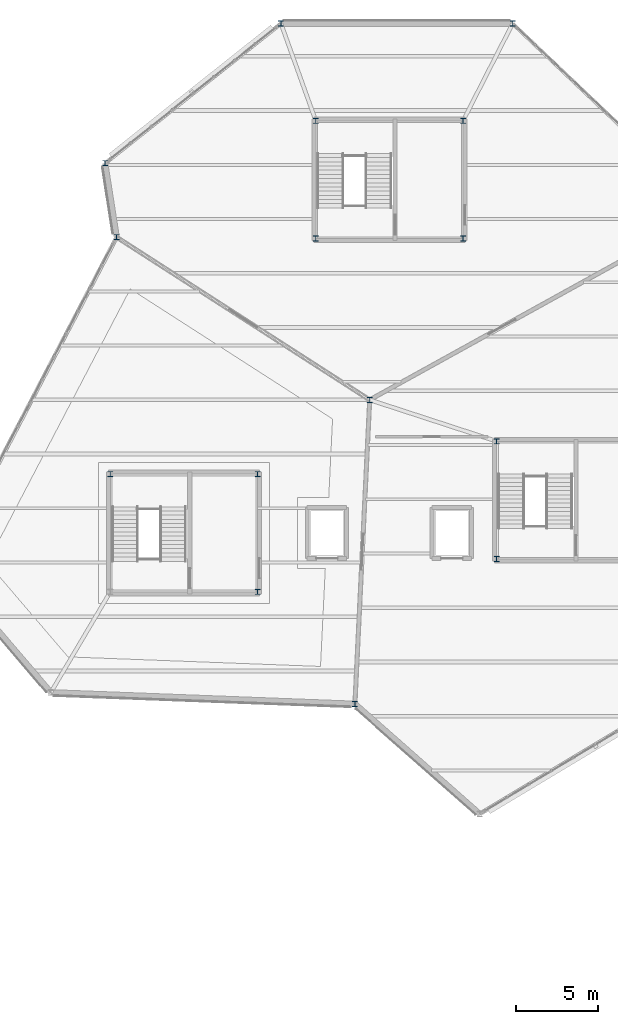
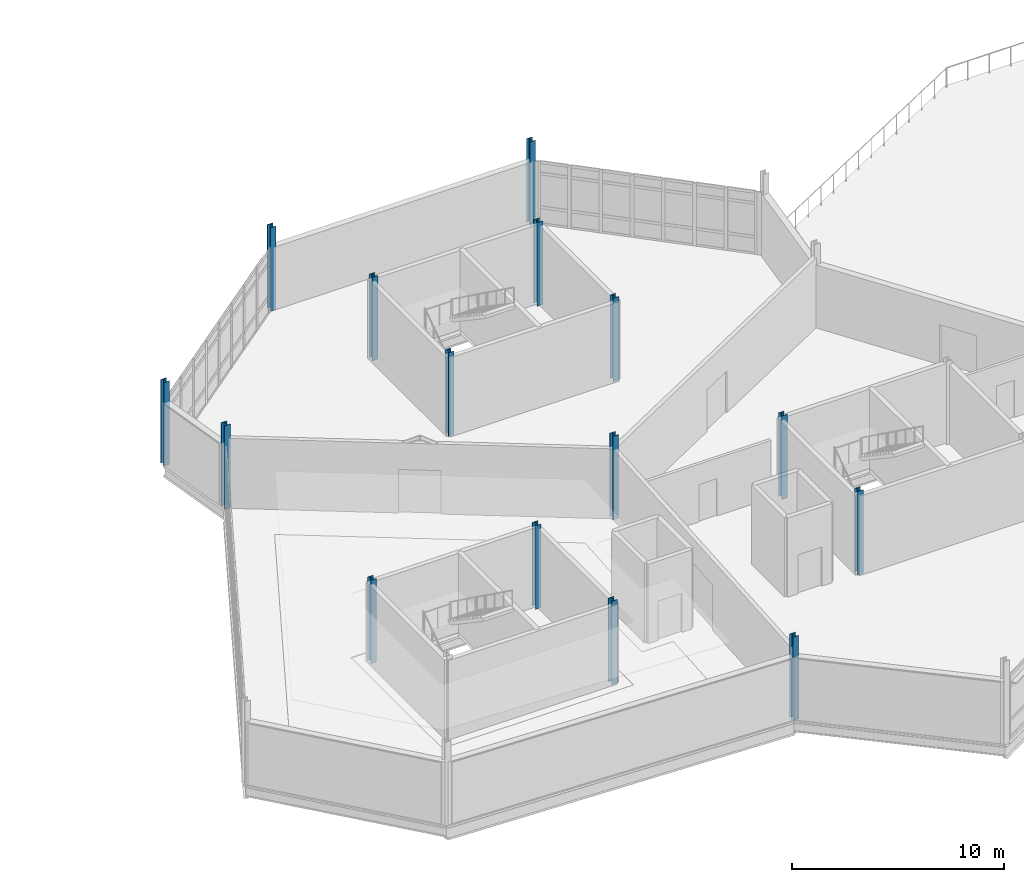
# One storey, part 11 of 76: 15 columns.
"""IFC4 building model written with IfcOpenShell, lengths in metres."""

from ifc_helpers import new_model, si_unit, direction, frame, origin, origin_2d, place, context, subcontext, project, spatial, i_section, extrude, material, material_profile, profile_set, type_object, element, save


model = new_model("IFC4")

# Units and contexts
model_context = context("Model", 3, precision=1e-05, world=origin(), true_north=direction((0.0, 1.0)))
body_context = subcontext(model_context, "Body", "Model", "MODEL_VIEW")
ifc_project = project(units=[si_unit("LENGTHUNIT", "METRE"), si_unit("AREAUNIT", "SQUARE_METRE"), si_unit("VOLUMEUNIT", "CUBIC_METRE"), si_unit("PLANEANGLEUNIT", "RADIAN"), si_unit("MASSUNIT", "GRAM", prefix="KILO")], contexts=[model_context])

# Site, building, storey
site_placement = place(None, origin())
site = spatial("IfcSite", under=ifc_project, at=site_placement, CompositionType="ELEMENT")
building_placement = place(site_placement, origin())
building = spatial("IfcBuilding", under=site, at=building_placement, Name="Tameran Prism Museum", CompositionType="ELEMENT")
storey_placement = place(building_placement, frame((0.0, 0.0, 15.0)))
storey = spatial("IfcBuildingStorey", under=building, at=storey_placement, Name="L03", CompositionType="ELEMENT", Elevation=15.0)

# Columns
ifc_material = material(Name="Steel Grade 350 (350 MPa)", Category="steel")
ifc_material_profile = material_profile(ifc_material, i_section(OverallWidth=0.30908203125, OverallDepth=0.321044921875, WebThickness=0.013916015625, FlangeThickness=0.021728515625, FilletRadius=0.0166015625, at=origin_2d()))
ifc_profile_set = profile_set([ifc_material_profile])
column_type = type_object("IfcColumnType", Name="COL-UC310B", PredefinedType="COLUMN", material=ifc_profile_set)
for number, where, z_axis, x_axis, name in (
    (1, (102.699951171875, 103.5, 0.0), (0.0, 0.0, 1.0), (1.0, 0.0, 0.0), "Column CV-42 L03"),
    (2, (103.39990234375, 99.0, 0.0), (0.0, 0.0, 1.0), (1.0, 0.0, 0.0), "Column CV-43 L03"),
    (3, (113.39990234375, 112.0, 0.0), (0.0, 0.0, 1.0), (1.0, 0.0, 0.0), "Column CV-45 L03"),
    (4, (117.89990234375, 70.60009765625, 0.0), (0.0, 0.0, 1.0), (1.0, 0.0, 0.0), "Column CV-46 L03"),
    (5, (118.800048828125, 89.10009765625, 0.0), (0.0, 0.0, 1.0), (1.0, 0.0, 0.0), "Column CV-47 L03"),
    (6, (127.5, 112.0, 0.0), (0.0, 0.0, 1.0), (1.0, 0.0, 0.0), "Column CV-51 L03"),
    (7, (111.97998046875, 77.419921875, 0.0), (0.0, 0.0, 1.0), (1.0, 0.0, 0.0), "Column CC-1-2 L03"),
    (8, (111.97998046875, 84.580078125, 0.0), (0.0, 0.0, 1.0), (1.0, 0.0, 0.0), "Column CC-1-3 L03"),
    (9, (103.02001953125, 84.580078125, 0.0), (0.0, 0.0, 1.0), (1.0, 0.0, 0.0), "Column CC-1-4 L03"),
    (10, (126.52001953125, 79.419921875, 0.0), (0.0, 0.0, 1.0), (1.0, 0.0, 0.0), "Column CC-2-1 L03"),
    (11, (126.52001953125, 86.580078125, 0.0), (0.0, 0.0, 1.0), (1.0, 0.0, 0.0), "Column CC-2-4 L03"),
    (12, (115.52001953125, 98.919921875, 0.0), (0.0, 0.0, 1.0), (1.0, 0.0, 0.0), "Column CC-7-1 L03"),
    (13, (124.47998046875, 98.919921875, 0.0), (0.0, 0.0, 1.0), (1.0, 0.0, 0.0), "Column CC-7-2 L03"),
    (14, (124.47998046875, 106.080078125, 0.0), (0.0, 0.0, 1.0), (1.0, 0.0, 0.0), "Column CC-7-3 L03"),
    (15, (115.52001953125, 106.080078125, 0.0), (0.0, 0.0, 1.0), (1.0, 0.0, 0.0), "Column CC-7-4 L03"),
):
    element("IfcColumn", number, at=place(storey_placement, frame(where, z_axis=z_axis, x_axis=x_axis)), inside=storey, type_object=column_type, Name=name, PredefinedType="COLUMN", context=body_context, shape_type="SweptSolid", body=[
        extrude(i_section(OverallWidth=0.30908203125, OverallDepth=0.321044921875, WebThickness=0.013916015625, FlangeThickness=0.021728515625, FilletRadius=0.0166015625, at=origin_2d()), origin(), (0.0, 0.0, 1.0), 4.800048828125),
    ])

save(model, "model.ifc")
